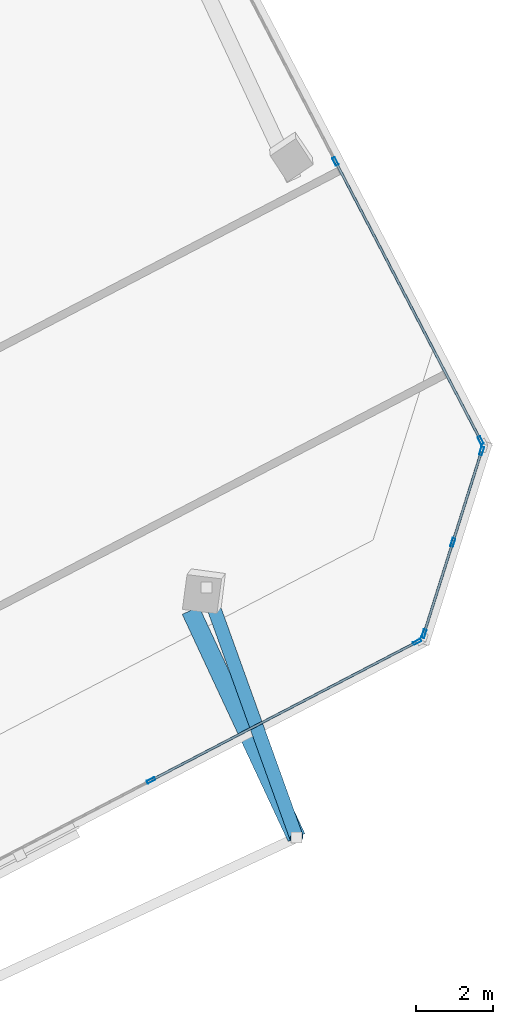
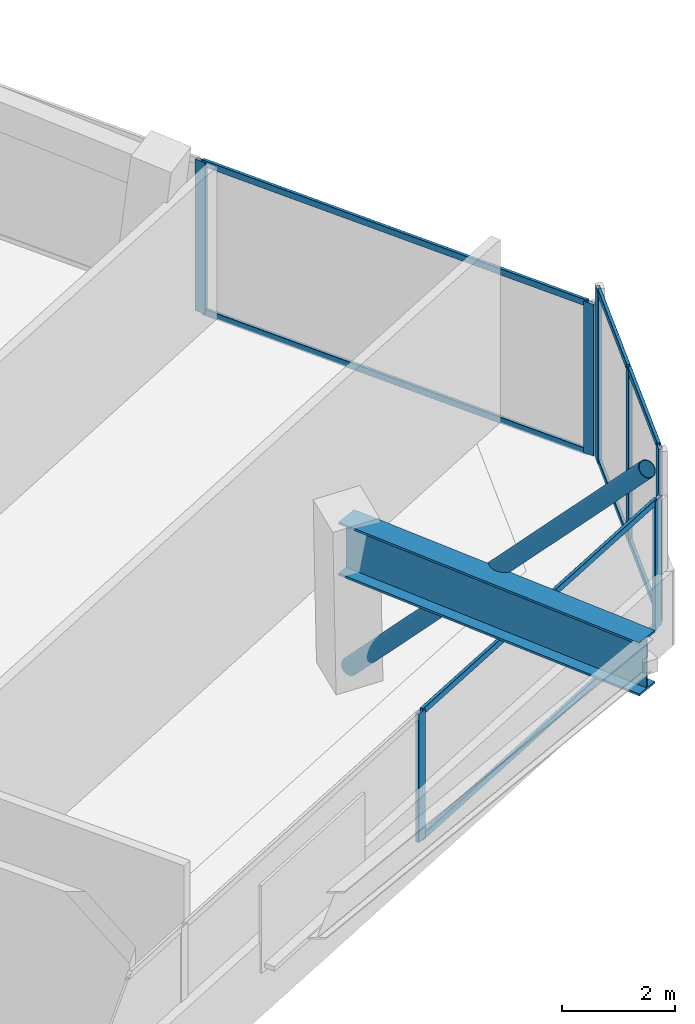
# One storey, part 6 of 16: 16 members, 1 beam, 3 elements without a shape of their own.
"""IFC4 building model written with IfcOpenShell, lengths in metres."""

from ifc_helpers import new_model, si_unit, direction, frame, origin, origin_2d, place, context, subcontext, project, spatial, hollow_rectangle, hollow_circle, i_section, extrude, source, transform, mapped, material, material_profile, profile_set, type_object, element, aggregate, save


model = new_model("IFC4")

# Units and contexts
model_context = context("Model", 3, precision=1e-05, world=origin(), true_north=direction((0.0, 1.0)))
body_context = subcontext(model_context, "Body", "Model", "MODEL_VIEW")
ifc_project = project(units=[si_unit("LENGTHUNIT", "METRE"), si_unit("AREAUNIT", "SQUARE_METRE"), si_unit("VOLUMEUNIT", "CUBIC_METRE"), si_unit("PLANEANGLEUNIT", "RADIAN"), si_unit("MASSUNIT", "GRAM", prefix="KILO")], contexts=[model_context])

# Site, building, storey
site_placement = place(None, origin())
site = spatial("IfcSite", under=ifc_project, at=site_placement, CompositionType="ELEMENT")
building_placement = place(site_placement, origin())
building = spatial("IfcBuilding", under=site, at=building_placement, Name="Torre Montelarca", CompositionType="ELEMENT")
storey_placement = place(building_placement, frame((0.0, 0.0, 336.60009765625)))
storey = spatial("IfcBuildingStorey", under=building, at=storey_placement, Name="L76", CompositionType="ELEMENT", Elevation=336.60009765625)

# Beam
ifc_material_1 = material(Name="Steel ASTM A572 Grade 50", Category="steel")
ifc_material_profile_1 = material_profile(ifc_material_1, i_section(OverallWidth=0.47998046875, OverallDepth=1.14990234375, WebThickness=0.02197265625, FlangeThickness=0.044921875, at=origin_2d()), Name="PG1150X480X22X45", Category="steel")
ifc_profile_set_1 = profile_set([ifc_material_profile_1], Name="Steel ASTM A572 Grade 50")
beam_type = type_object("IfcBeamType", Name="BM-CG-PG1400-EXT", PredefinedType="USERDEFINED", material=ifc_profile_set_1)
shared_shape_1 = source(origin(), body_context, "Body", "SweptSolid", [
    extrude(i_section(OverallWidth=0.47998046875, OverallDepth=1.14990234375, WebThickness=0.02197265625, FlangeThickness=0.044921875, at=origin_2d()), origin(), (0.0, 0.0, 1.0), 6.500244140625),
])
beam_placement = place(storey_placement, frame((34.87841796875, 22.239501953125, 3.385009765625), z_axis=(0.422618144776, -0.906307841578, 0.0), x_axis=(0.906307841578, 0.422618144776, 0.0)))
element("IfcBeam", 1, at=beam_placement, inside=storey, type_object=beam_type, Name="L76 Sliding Tray Cantilever Girder East Y=40m (FLR)", ObjectType="CANTILEVER GIRDER", PredefinedType="USERDEFINED", context=body_context, shape_type="MappedRepresentation", body=[
    mapped(shared_shape_1, transform((0.0, 0.0, 0.0), scale=1.0)),
])

# Member
ifc_material_2 = material(Name="Steel ASTM A500 Grade C", Category="steel")
ifc_material_profile_2 = material_profile(ifc_material_2, hollow_circle(Radius=0.177734375, WallThickness=0.015869140625, at=origin_2d()), Name="HSS355.6X15.9", Category="steel")
ifc_profile_set_2 = profile_set([ifc_material_profile_2], Name="Steel ASTM A500 Grade C")
member_type_1 = type_object("IfcMemberType", Name="MB-BR-CHS356-EXT", PredefinedType="BRACE", material=ifc_profile_set_2)
shared_shape_2 = source(origin(), body_context, "Body", "SweptSolid", [
    extrude(hollow_circle(Radius=0.177734375, WallThickness=0.015869140625, at=origin_2d()), origin(), (0.0, 0.0, 1.0), 10.100830078125),
])
member_1_placement = place(storey_placement, frame((35.29150390625, 22.832275390625, 0.199951171875), z_axis=(0.231068717352, -0.64191663132, 0.731129459327), x_axis=(0.940897347367, 0.338691868395, 0.0)))
element("IfcMember", 2, at=member_1_placement, inside=storey, type_object=member_type_1, Name="L77 Sky-Lounge Upper Diagonal Raker Strut Y=40m", PredefinedType="BRACE", context=body_context, shape_type="MappedRepresentation", body=[
    mapped(shared_shape_2, transform((0.0, 0.0, 0.0), scale=1.0)),
])

# Curtain wall, members
ifc_material_3 = material(Name="Insulated low-E laminated glass", Category="glass")
curtain_wall_type = type_object("IfcCurtainWallType", Name="CW-SYS-Z4", PredefinedType="USERDEFINED", material=ifc_material_3)
curtain_wall_1_placement = place(storey_placement, origin())
curtain_wall_1 = element("IfcCurtainWall", 3, at=curtain_wall_1_placement, inside=storey, type_object=curtain_wall_type, Name="L76 Curtain Wall Run CW-T3-L76-E07-B1", ObjectType="UNITISED GLAZING", PredefinedType="USERDEFINED")
ifc_material_4 = material(Name="Anodised aluminium AA 6063-T6", Category="aluminium")
ifc_material_profile_3 = material_profile(ifc_material_4, hollow_rectangle(XDim=0.074951171875, YDim=0.219970703125, WallThickness=0.0048828125, InnerFilletRadius=0.0048828125, OuterFilletRadius=0.010009765625, at=origin_2d()), Name="ALU75X220X5", Category="aluminium")
ifc_profile_set_3 = profile_set([ifc_material_profile_3], Name="Anodised aluminium AA 6063-T6")
member_type_2 = type_object("IfcMemberType", Name="CWM-ALU220", PredefinedType="MULLION", material=ifc_profile_set_3)
shared_shape_3 = source(origin(), body_context, "Body", "SweptSolid", [
    extrude(hollow_rectangle(XDim=0.074951171875, YDim=0.219970703125, WallThickness=0.0048828125, InnerFilletRadius=0.0048828125, OuterFilletRadius=0.010009765625, at=origin_2d()), origin(), (0.0, 0.0, 1.0), 3.719970703125),
])
member_2_placement = place(storey_placement, frame((40.932373046875, 21.6376953125, 0.0), z_axis=(0.0, 0.0, 1.0), x_axis=(-0.953721038655, 0.300692834013, 0.0)))
member_2 = element("IfcMember", 4, at=member_2_placement, type_object=member_type_2, Name="CW mullion 1", PredefinedType="MULLION", context=body_context, shape_type="MappedRepresentation", body=[
    mapped(shared_shape_3, transform((0.0, 0.0, 0.0), scale=1.0)),
])
member_3_placement = place(storey_placement, frame((41.67919921875, 24.00634765625, 0.0), z_axis=(0.0, 0.0, 1.0), x_axis=(-0.953721038655, 0.300692834013, 0.0)))
member_3 = element("IfcMember", 5, at=member_3_placement, type_object=member_type_2, Name="CW mullion 2", PredefinedType="MULLION", context=body_context, shape_type="MappedRepresentation", body=[
    mapped(shared_shape_3, transform((0.0, 0.0, 0.0), scale=1.0)),
])
member_4_placement = place(storey_placement, frame((42.426025390625, 26.375244140625, 0.0), z_axis=(0.0, 0.0, 1.0), x_axis=(-0.953721038655, 0.300692834013, 0.0)))
member_4 = element("IfcMember", 6, at=member_4_placement, type_object=member_type_2, Name="CW mullion 3", PredefinedType="MULLION", context=body_context, shape_type="MappedRepresentation", body=[
    mapped(shared_shape_3, transform((0.0, 0.0, 0.0), scale=1.0)),
])

curtain_wall_2_placement = place(storey_placement, origin())
curtain_wall_2 = element("IfcCurtainWall", 7, at=curtain_wall_2_placement, inside=storey, type_object=curtain_wall_type, Name="L76 Curtain Wall Run CW-T3-L76-E06-B1", ObjectType="UNITISED GLAZING", PredefinedType="USERDEFINED")
shared_shape_4 = source(origin(), body_context, "Body", "SweptSolid", [
    extrude(hollow_rectangle(XDim=0.074951171875, YDim=0.219970703125, WallThickness=0.0048828125, InnerFilletRadius=0.0048828125, OuterFilletRadius=0.010009765625, at=origin_2d()), origin(), (0.0, 0.0, 1.0), 2.77490234375),
])
member_5_placement = place(storey_placement, frame((33.84912109375, 17.831298828125, 0.0), z_axis=(0.0, 0.0, 1.0), x_axis=(-0.461745658928, 0.887012371087, 0.0)))
member_5 = element("IfcMember", 8, at=member_5_placement, type_object=member_type_2, Name="CW mullion 3", PredefinedType="MULLION", context=body_context, shape_type="MappedRepresentation", body=[
    mapped(shared_shape_4, transform((0.0, 0.0, 0.0), scale=1.0)),
])
member_6_placement = place(storey_placement, frame((40.754638671875, 21.426025390625, 0.0), z_axis=(0.0, 0.0, 1.0), x_axis=(-0.461745658928, 0.887012371087, 0.0)))
member_6 = element("IfcMember", 9, at=member_6_placement, type_object=member_type_2, Name="CW mullion 4", PredefinedType="MULLION", context=body_context, shape_type="MappedRepresentation", body=[
    mapped(shared_shape_4, transform((0.0, 0.0, 0.0), scale=1.0)),
])

# Member
ifc_material_profile_4 = material_profile(ifc_material_4, hollow_rectangle(XDim=0.06494140625, YDim=0.139892578125, WallThickness=0.00390625, InnerFilletRadius=0.00390625, OuterFilletRadius=0.008056640625, at=origin_2d()), Name="ALU65X140X4", Category="aluminium")
ifc_profile_set_4 = profile_set([ifc_material_profile_4], Name="Anodised aluminium AA 6063-T6")
member_type_3 = type_object("IfcMemberType", Name="CWT-ALU140", PredefinedType="USERDEFINED", material=ifc_profile_set_4)
shared_shape_5 = source(origin(), body_context, "Body", "SweptSolid", [
    extrude(hollow_rectangle(XDim=0.06494140625, YDim=0.139892578125, WallThickness=0.00390625, InnerFilletRadius=0.00390625, OuterFilletRadius=0.008056640625, at=origin_2d()), origin(), (0.0, 0.0, 1.0), 2.40869140625),
])
member_7_placement = place(storey_placement, frame((40.943603515625, 21.67333984375, 0.032470703125), z_axis=(0.300617148443, 0.953744897791, 0.0), x_axis=(-0.953744897791, 0.300617148443, 0.0)))
member_7 = element("IfcMember", 10, at=member_7_placement, type_object=member_type_3, Name="CW transom 1.1", ObjectType="TRANSOM", PredefinedType="USERDEFINED", context=body_context, shape_type="MappedRepresentation", body=[
    mapped(shared_shape_5, transform((0.0, 0.0, 0.0), scale=1.0)),
])

member_8_placement = place(storey_placement, frame((40.943603515625, 21.67333984375, 3.6875), z_axis=(0.300617148443, 0.953744897791, 0.0), x_axis=(-0.953744897791, 0.300617148443, 0.0)))
member_8 = element("IfcMember", 11, at=member_8_placement, type_object=member_type_3, Name="CW transom 1.2", ObjectType="TRANSOM", PredefinedType="USERDEFINED", context=body_context, shape_type="MappedRepresentation", body=[
    mapped(shared_shape_5, transform((0.0, 0.0, 0.0), scale=1.0)),
])

shared_shape_6 = source(origin(), body_context, "Body", "SweptSolid", [
    extrude(hollow_rectangle(XDim=0.06494140625, YDim=0.139892578125, WallThickness=0.00390625, InnerFilletRadius=0.00390625, OuterFilletRadius=0.008056640625, at=origin_2d()), origin(), (0.0, 0.0, 1.0), 2.408447265625),
])
member_9_placement = place(storey_placement, frame((41.6904296875, 24.042236328125, 0.032470703125), z_axis=(0.300646210642, 0.953735736998, 0.0), x_axis=(-0.953735736998, 0.300646210642, 0.0)))
member_9 = element("IfcMember", 12, at=member_9_placement, type_object=member_type_3, Name="CW transom 2.1", ObjectType="TRANSOM", PredefinedType="USERDEFINED", context=body_context, shape_type="MappedRepresentation", body=[
    mapped(shared_shape_6, transform((0.0, 0.0, 0.0), scale=1.0)),
])

member_10_placement = place(storey_placement, frame((41.6904296875, 24.042236328125, 3.6875), z_axis=(0.300646210642, 0.953735736998, 0.0), x_axis=(-0.953735736998, 0.300646210642, 0.0)))
member_10 = element("IfcMember", 13, at=member_10_placement, type_object=member_type_3, Name="CW transom 2.2", ObjectType="TRANSOM", PredefinedType="USERDEFINED", context=body_context, shape_type="MappedRepresentation", body=[
    mapped(shared_shape_6, transform((0.0, 0.0, 0.0), scale=1.0)),
])

aggregate(curtain_wall_1, [member_2, member_3, member_4, member_7, member_8, member_9, member_10])

# Curtain wall, members
curtain_wall_3_placement = place(storey_placement, origin())
curtain_wall_3 = element("IfcCurtainWall", 14, at=curtain_wall_3_placement, inside=storey, type_object=curtain_wall_type, Name="L76 Curtain Wall Run CW-T3-L76-E08-B1", ObjectType="UNITISED GLAZING", PredefinedType="USERDEFINED")
shared_shape_7 = source(origin(), body_context, "Body", "SweptSolid", [
    extrude(hollow_rectangle(XDim=0.074951171875, YDim=0.219970703125, WallThickness=0.0048828125, InnerFilletRadius=0.0048828125, OuterFilletRadius=0.010009765625, at=origin_2d()), origin(), (0.0, 0.0, 1.0), 3.27490234375),
])
member_11_placement = place(storey_placement, frame((42.40185546875, 26.650146484375, 0.0), z_axis=(0.0, 0.0, 1.0), x_axis=(-0.887012228523, -0.461745932792, 0.0)))
member_11 = element("IfcMember", 15, at=member_11_placement, type_object=member_type_2, Name="CW mullion 1", PredefinedType="MULLION", context=body_context, shape_type="MappedRepresentation", body=[
    mapped(shared_shape_7, transform((0.0, 0.0, 0.0), scale=1.0)),
])
member_12_placement = place(storey_placement, frame((38.63525390625, 33.885986328125, 0.0), z_axis=(0.0, 0.0, 1.0), x_axis=(-0.887012228523, -0.461745932792, 0.0)))
member_12 = element("IfcMember", 16, at=member_12_placement, type_object=member_type_2, Name="CW mullion 2", PredefinedType="MULLION", context=body_context, shape_type="MappedRepresentation", body=[
    mapped(shared_shape_7, transform((0.0, 0.0, 0.0), scale=1.0)),
])

# Member
shared_shape_8 = source(origin(), body_context, "Body", "SweptSolid", [
    extrude(hollow_rectangle(XDim=0.06494140625, YDim=0.139892578125, WallThickness=0.00390625, InnerFilletRadius=0.00390625, OuterFilletRadius=0.008056640625, at=origin_2d()), origin(), (0.0, 0.0, 1.0), 7.710205078125),
])
member_13_placement = place(storey_placement, frame((33.88232421875, 17.8486328125, 0.032470703125), z_axis=(0.887019195304, 0.461732549385, 0.0), x_axis=(-0.461732549385, 0.887019195304, 0.0)))
member_13 = element("IfcMember", 17, at=member_13_placement, type_object=member_type_3, Name="CW transom 3.1", ObjectType="TRANSOM", PredefinedType="USERDEFINED", context=body_context, shape_type="MappedRepresentation", body=[
    mapped(shared_shape_8, transform((0.0, 0.0, 0.0), scale=1.0)),
])

member_14_placement = place(storey_placement, frame((33.88232421875, 17.8486328125, 2.742431640625), z_axis=(0.887019195304, 0.461732549385, 0.0), x_axis=(-0.461732549385, 0.887019195304, 0.0)))
member_14 = element("IfcMember", 18, at=member_14_placement, type_object=member_type_3, Name="CW transom 3.2", ObjectType="TRANSOM", PredefinedType="USERDEFINED", context=body_context, shape_type="MappedRepresentation", body=[
    mapped(shared_shape_8, transform((0.0, 0.0, 0.0), scale=1.0)),
])

aggregate(curtain_wall_2, [member_5, member_6, member_13, member_14])

shared_shape_9 = source(origin(), body_context, "Body", "SweptSolid", [
    extrude(hollow_rectangle(XDim=0.06494140625, YDim=0.139892578125, WallThickness=0.00390625, InnerFilletRadius=0.00390625, OuterFilletRadius=0.008056640625, at=origin_2d()), origin(), (0.0, 0.0, 1.0), 8.082275390625),
])
member_15_placement = place(storey_placement, frame((42.384521484375, 26.68359375, 0.032470703125), z_axis=(-0.461737884207, 0.887016418274, 0.0), x_axis=(-0.887016418274, -0.461737884207, 0.0)))
member_15 = element("IfcMember", 19, at=member_15_placement, type_object=member_type_3, Name="CW transom 1.1", ObjectType="TRANSOM", PredefinedType="USERDEFINED", context=body_context, shape_type="MappedRepresentation", body=[
    mapped(shared_shape_9, transform((0.0, 0.0, 0.0), scale=1.0)),
])

member_16_placement = place(storey_placement, frame((42.384521484375, 26.68359375, 3.242431640625), z_axis=(-0.461737884207, 0.887016418274, 0.0), x_axis=(-0.887016418274, -0.461737884207, 0.0)))
member_16 = element("IfcMember", 20, at=member_16_placement, type_object=member_type_3, Name="CW transom 1.2", ObjectType="TRANSOM", PredefinedType="USERDEFINED", context=body_context, shape_type="MappedRepresentation", body=[
    mapped(shared_shape_9, transform((0.0, 0.0, 0.0), scale=1.0)),
])

aggregate(curtain_wall_3, [member_11, member_12, member_15, member_16])

save(model, "model.ifc")
